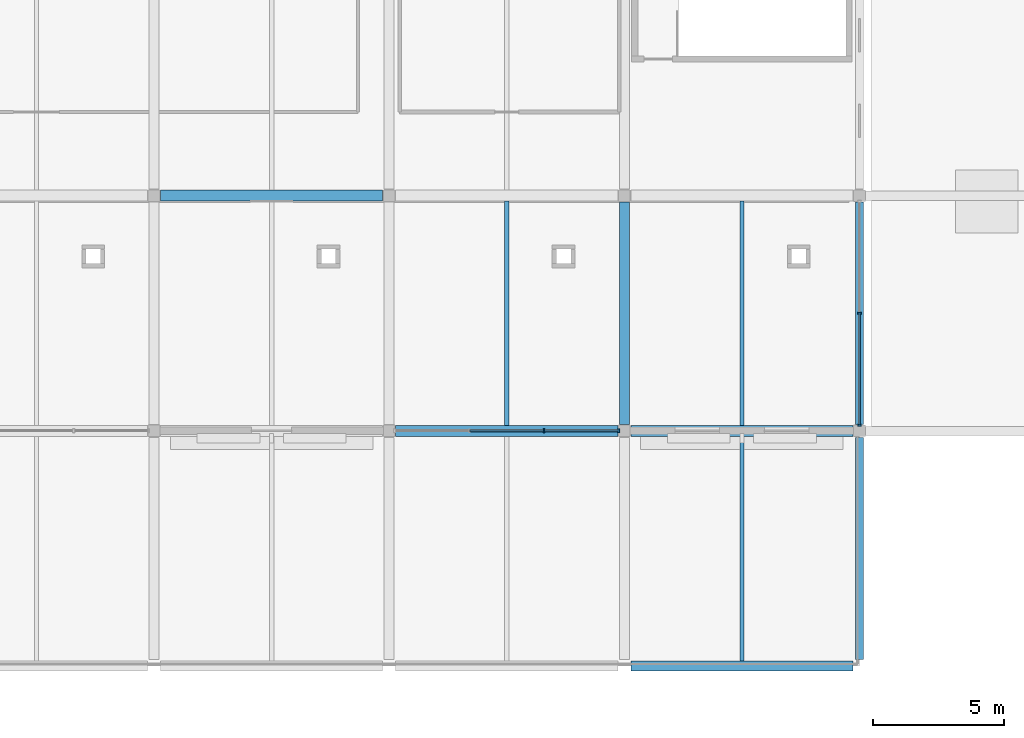
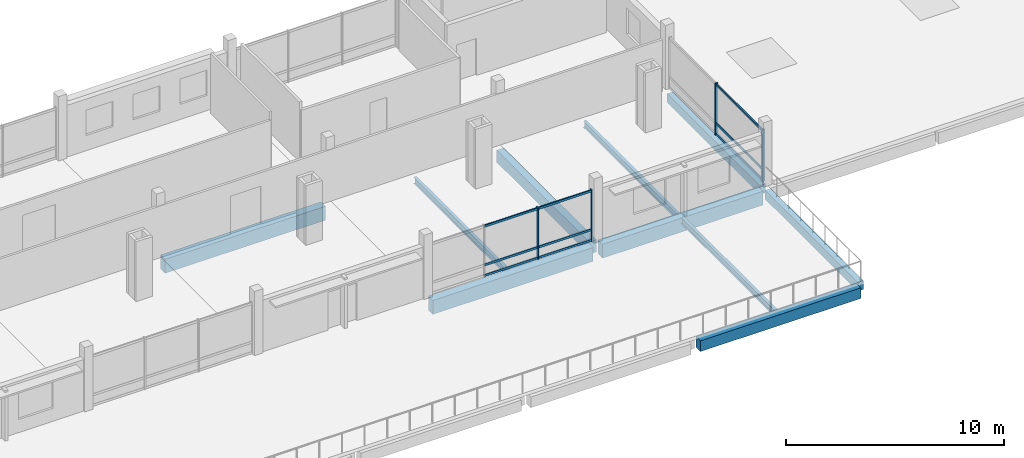
# One storey, part 74 of 163: 13 members, 10 beams, 2 elements without a shape of their own.
"""IFC4 building model written with IfcOpenShell, lengths in metres."""

from ifc_helpers import new_model, si_unit, direction, frame, origin, origin_2d, place, context, subcontext, project, spatial, rectangle, i_section, extrude, material, material_profile, profile_set, type_object, element, aggregate, save


model = new_model("IFC4")

# Units and contexts
model_context = context("Model", 3, precision=1e-05, world=origin(), true_north=direction((0.0, 1.0)))
body_context = subcontext(model_context, "Body", "Model", "MODEL_VIEW")
ifc_project = project(units=[si_unit("LENGTHUNIT", "METRE"), si_unit("AREAUNIT", "SQUARE_METRE"), si_unit("VOLUMEUNIT", "CUBIC_METRE"), si_unit("PLANEANGLEUNIT", "RADIAN"), si_unit("MASSUNIT", "GRAM", prefix="KILO")], contexts=[model_context])

# Site, building, storey
site_placement = place(None, origin())
site = spatial("IfcSite", under=ifc_project, at=site_placement, CompositionType="ELEMENT")
building_placement = place(site_placement, origin())
building = spatial("IfcBuilding", under=site, at=building_placement, Name="Tharagai Park Tramway Depot", CompositionType="ELEMENT")
storey_placement = place(building_placement, frame((0.0, 0.0, 8.39990234375)))
storey = spatial("IfcBuildingStorey", under=building, at=storey_placement, Name="L02", CompositionType="ELEMENT", Elevation=8.39990234375)

# Beams
ifc_material_1 = material(Name="Concrete M35", Category="concrete")
ifc_material_profile_1 = material_profile(ifc_material_1, rectangle(XDim=0.3798828125, YDim=0.679931640625, at=origin_2d()), Name="RC 380x680")
ifc_profile_set_1 = profile_set([ifc_material_profile_1], Name="Concrete M35")
beam_type_1 = type_object("IfcBeamType", Name="BM-12", PredefinedType="BEAM", material=ifc_profile_set_1)
beam_1_placement = place(storey_placement, frame((180.0, 9.25, -0.56982421875), z_axis=(0.0, 1.0, 0.0), x_axis=(-1.0, 0.0, 0.0)))
element("IfcBeam", 1, at=beam_1_placement, inside=storey, type_object=beam_type_1, Name="L02 Grid Beam BM-12", PredefinedType="BEAM", context=body_context, shape_type="SweptSolid", body=[
    extrude(rectangle(XDim=0.3798828125, YDim=0.679931640625, at=origin_2d()), origin(), (0.0, 0.0, 1.0), 8.5),
])
ifc_material_profile_2 = material_profile(ifc_material_1, rectangle(XDim=0.419921875, YDim=0.780029296875, at=origin_2d()), Name="RC 420x780")
ifc_profile_set_2 = profile_set([ifc_material_profile_2], Name="Concrete M35")
beam_type_2 = type_object("IfcBeamType", Name="BM-16", PredefinedType="BEAM", material=ifc_profile_set_2)
for number, where, z_axis, x_axis, name in (
    (2, (171.25, 9.0, -0.619873046875), (1.0, 0.0, 0.0), (0.0, 1.0, 0.0), "L02 Grid Beam BM-16"),
    (3, (180.25, 9.0, -0.619873046875), (1.0, 0.0, 0.0), (0.0, 1.0, 0.0), "L02 Grid Beam BM-16"),
    (4, (162.25, 18.0, -0.619873046875), (1.0, 0.0, 0.0), (0.0, 1.0, 0.0), "L02 Grid Beam BM-16"),
):
    element("IfcBeam", number, at=place(storey_placement, frame(where, z_axis=z_axis, x_axis=x_axis)), inside=storey, type_object=beam_type_2, Name=name, PredefinedType="BEAM", context=body_context, shape_type="SweptSolid", body=[
        extrude(rectangle(XDim=0.419921875, YDim=0.780029296875, at=origin_2d()), origin(), (0.0, 0.0, 1.0), 8.5),
    ])

# Curtain wall, members
ifc_material_2 = material(Name="Anodised aluminium", Category="aluminium")
curtain_wall_type_1 = type_object("IfcCurtainWallType", Name="CW-02", PredefinedType="NOTDEFINED", material=ifc_material_2)
curtain_wall_1_placement = place(storey_placement, origin())
curtain_wall_1 = element("IfcCurtainWall", 5, at=curtain_wall_1_placement, inside=storey, type_object=curtain_wall_type_1, Name="L02 V5 Gothic Mullioned Curtain Wall CW-02", PredefinedType="NOTDEFINED")
ifc_material_profile_3 = material_profile(ifc_material_2, rectangle(XDim=0.06494140625, YDim=0.1201171875, at=origin_2d()), Name="ALU 65x120")
ifc_profile_set_3 = profile_set([ifc_material_profile_3], Name="Anodised aluminium")
member_type_1 = type_object("IfcMemberType", Name="CM-01", PredefinedType="USERDEFINED", material=ifc_profile_set_3)
member_1_placement = place(storey_placement, frame((174.086669921875, 9.0, 0.06005859375), z_axis=(1.0, 0.0, 0.0), x_axis=(0.0, 1.0, 0.0)))
member_1 = element("IfcMember", 6, at=member_1_placement, type_object=member_type_1, Name="L02 V5 Gothic Mullioned Curtain Wall Transom 2.1", ObjectType="TRANSOM", PredefinedType="USERDEFINED", context=body_context, shape_type="SweptSolid", body=[
    extrude(rectangle(XDim=0.06494140625, YDim=0.1201171875, at=origin_2d()), origin(), (0.0, 0.0, 1.0), 2.82666015625),
])
member_2_placement = place(storey_placement, frame((174.086669921875, 9.0, 0.650146484375), z_axis=(1.0, 0.0, 0.0), x_axis=(0.0, 1.0, 0.0)))
member_2 = element("IfcMember", 7, at=member_2_placement, type_object=member_type_1, Name="L02 V5 Gothic Mullioned Curtain Wall Transom 2.2", ObjectType="TRANSOM", PredefinedType="USERDEFINED", context=body_context, shape_type="SweptSolid", body=[
    extrude(rectangle(XDim=0.06494140625, YDim=0.1201171875, at=origin_2d()), origin(), (0.0, 0.0, 1.0), 2.82666015625),
])
member_3_placement = place(storey_placement, frame((174.086669921875, 9.0, 2.820068359375), z_axis=(1.0, 0.0, 0.0), x_axis=(0.0, 1.0, 0.0)))
member_3 = element("IfcMember", 8, at=member_3_placement, type_object=member_type_1, Name="L02 V5 Gothic Mullioned Curtain Wall Transom 2.3", ObjectType="TRANSOM", PredefinedType="USERDEFINED", context=body_context, shape_type="SweptSolid", body=[
    extrude(rectangle(XDim=0.06494140625, YDim=0.1201171875, at=origin_2d()), origin(), (0.0, 0.0, 1.0), 2.82666015625),
])
member_4_placement = place(storey_placement, frame((176.943359375, 9.0, 0.06005859375), z_axis=(1.0, 0.0, 0.0), x_axis=(0.0, 1.0, 0.0)))
member_4 = element("IfcMember", 9, at=member_4_placement, type_object=member_type_1, Name="L02 V5 Gothic Mullioned Curtain Wall Transom 3.1", ObjectType="TRANSOM", PredefinedType="USERDEFINED", context=body_context, shape_type="SweptSolid", body=[
    extrude(rectangle(XDim=0.06494140625, YDim=0.1201171875, at=origin_2d()), origin(), (0.0, 0.0, 1.0), 2.82666015625),
])
member_5_placement = place(storey_placement, frame((176.943359375, 9.0, 0.650146484375), z_axis=(1.0, 0.0, 0.0), x_axis=(0.0, 1.0, 0.0)))
member_5 = element("IfcMember", 10, at=member_5_placement, type_object=member_type_1, Name="L02 V5 Gothic Mullioned Curtain Wall Transom 3.2", ObjectType="TRANSOM", PredefinedType="USERDEFINED", context=body_context, shape_type="SweptSolid", body=[
    extrude(rectangle(XDim=0.06494140625, YDim=0.1201171875, at=origin_2d()), origin(), (0.0, 0.0, 1.0), 2.82666015625),
])
member_6_placement = place(storey_placement, frame((176.943359375, 9.0, 2.820068359375), z_axis=(1.0, 0.0, 0.0), x_axis=(0.0, 1.0, 0.0)))
member_6 = element("IfcMember", 11, at=member_6_placement, type_object=member_type_1, Name="L02 V5 Gothic Mullioned Curtain Wall Transom 3.3", ObjectType="TRANSOM", PredefinedType="USERDEFINED", context=body_context, shape_type="SweptSolid", body=[
    extrude(rectangle(XDim=0.06494140625, YDim=0.1201171875, at=origin_2d()), origin(), (0.0, 0.0, 1.0), 2.82666015625),
])

curtain_wall_type_2 = type_object("IfcCurtainWallType", Name="CW-07", PredefinedType="NOTDEFINED", material=ifc_material_2)
curtain_wall_2_placement = place(storey_placement, origin())
curtain_wall_2 = element("IfcCurtainWall", 12, at=curtain_wall_2_placement, inside=storey, type_object=curtain_wall_type_2, Name="L02 V5 Side Mullioned Curtain Wall CW-07", PredefinedType="NOTDEFINED")
member_7_placement = place(storey_placement, frame((189.0, 9.22998046875, 0.06005859375), z_axis=(0.0, 1.0, 0.0), x_axis=(-1.0, 0.0, 0.0)))
member_7 = element("IfcMember", 13, at=member_7_placement, type_object=member_type_1, Name="L02 V5 Side Mullioned Curtain Wall Transom 1.1", ObjectType="TRANSOM", PredefinedType="USERDEFINED", context=body_context, shape_type="SweptSolid", body=[
    extrude(rectangle(XDim=0.06494140625, YDim=0.1201171875, at=origin_2d()), origin(), (0.0, 0.0, 1.0), 4.255126953125),
])
member_8_placement = place(storey_placement, frame((189.0, 9.22998046875, 0.650146484375), z_axis=(0.0, 1.0, 0.0), x_axis=(-1.0, 0.0, 0.0)))
member_8 = element("IfcMember", 14, at=member_8_placement, type_object=member_type_1, Name="L02 V5 Side Mullioned Curtain Wall Transom 1.2", ObjectType="TRANSOM", PredefinedType="USERDEFINED", context=body_context, shape_type="SweptSolid", body=[
    extrude(rectangle(XDim=0.06494140625, YDim=0.1201171875, at=origin_2d()), origin(), (0.0, 0.0, 1.0), 4.255126953125),
])
member_9_placement = place(storey_placement, frame((189.0, 9.22998046875, 2.820068359375), z_axis=(0.0, 1.0, 0.0), x_axis=(-1.0, 0.0, 0.0)))
member_9 = element("IfcMember", 15, at=member_9_placement, type_object=member_type_1, Name="L02 V5 Side Mullioned Curtain Wall Transom 1.3", ObjectType="TRANSOM", PredefinedType="USERDEFINED", context=body_context, shape_type="SweptSolid", body=[
    extrude(rectangle(XDim=0.06494140625, YDim=0.1201171875, at=origin_2d()), origin(), (0.0, 0.0, 1.0), 4.255126953125),
])

# Member
ifc_material_profile_4 = material_profile(ifc_material_2, rectangle(XDim=0.06494140625, YDim=0.14990234375, at=origin_2d()), Name="ALU 65x150")
ifc_profile_set_4 = profile_set([ifc_material_profile_4], Name="Anodised aluminium")
member_type_2 = type_object("IfcMemberType", Name="CM-03", PredefinedType="MULLION", material=ifc_profile_set_4)
member_10_placement = place(storey_placement, frame((176.92822265625, 9.0, -0.0048828125), z_axis=(0.0, 0.0, 1.0), x_axis=(1.0, 0.0, 0.0)))
member_10 = element("IfcMember", 16, at=member_10_placement, type_object=member_type_2, Name="L02 V5 Gothic Mullioned Curtain Wall Mullion 3", PredefinedType="MULLION", context=body_context, shape_type="SweptSolid", body=[
    extrude(rectangle(XDim=0.06494140625, YDim=0.14990234375, at=origin_2d()), origin(), (0.0, 0.0, 1.0), 2.909912109375),
])

member_11_placement = place(storey_placement, frame((179.784912109375, 9.0, -0.0048828125), z_axis=(0.0, 0.0, 1.0), x_axis=(1.0, 0.0, 0.0)))
member_11 = element("IfcMember", 17, at=member_11_placement, type_object=member_type_2, Name="L02 V5 Gothic Mullioned Curtain Wall Mullion 4", PredefinedType="MULLION", context=body_context, shape_type="SweptSolid", body=[
    extrude(rectangle(XDim=0.06494140625, YDim=0.14990234375, at=origin_2d()), origin(), (0.0, 0.0, 1.0), 2.909912109375),
])

aggregate(curtain_wall_1, [member_10, member_11, member_1, member_2, member_3, member_4, member_5, member_6])

member_12_placement = place(storey_placement, frame((189.0, 9.215087890625, -0.0048828125), z_axis=(0.0, 0.0, 1.0), x_axis=(0.0, 1.0, 0.0)))
member_12 = element("IfcMember", 18, at=member_12_placement, type_object=member_type_2, Name="L02 V5 Side Mullioned Curtain Wall Mullion 1", PredefinedType="MULLION", context=body_context, shape_type="SweptSolid", body=[
    extrude(rectangle(XDim=0.06494140625, YDim=0.14990234375, at=origin_2d()), origin(), (0.0, 0.0, 1.0), 2.909912109375),
])

member_13_placement = place(storey_placement, frame((189.0, 13.5, -0.0048828125), z_axis=(0.0, 0.0, 1.0), x_axis=(0.0, 1.0, 0.0)))
member_13 = element("IfcMember", 19, at=member_13_placement, type_object=member_type_2, Name="L02 V5 Side Mullioned Curtain Wall Mullion 2", PredefinedType="MULLION", context=body_context, shape_type="SweptSolid", body=[
    extrude(rectangle(XDim=0.06494140625, YDim=0.14990234375, at=origin_2d()), origin(), (0.0, 0.0, 1.0), 2.909912109375),
])

aggregate(curtain_wall_2, [member_12, member_13, member_7, member_8, member_9])

# Beams
ifc_material_3 = material(Name="Steel E350", Category="steel")
ifc_material_profile_5 = material_profile(ifc_material_3, i_section(OverallWidth=0.1650390625, OverallDepth=0.35009765625, WebThickness=0.00732421875, FlangeThickness=0.011474609375, FilletRadius=0.013916015625, at=origin_2d()), Name="ISLB 350")
ifc_profile_set_5 = profile_set([ifc_material_profile_5], Name="Steel E350")
beam_type_3 = type_object("IfcBeamType", Name="JT-05", PredefinedType="JOIST", material=ifc_profile_set_5)
beam_2_placement = place(storey_placement, frame((175.5, 9.2099609375, -0.40478515625), z_axis=(0.0, 1.0, 0.0), x_axis=(-1.0, 0.0, 0.0)))
element("IfcBeam", 20, at=beam_2_placement, inside=storey, type_object=beam_type_3, Name="L02 Secondary Joist JT-05", PredefinedType="JOIST", context=body_context, shape_type="SweptSolid", body=[
    extrude(i_section(OverallWidth=0.1650390625, OverallDepth=0.35009765625, WebThickness=0.00732421875, FlangeThickness=0.011474609375, FilletRadius=0.013916015625, at=origin_2d()), origin(), (0.0, 0.0, 1.0), 8.580078125),
])
beam_3_placement = place(storey_placement, frame((184.5, 0.199951171875, -0.364990234375), z_axis=(0.0, 1.0, 0.0), x_axis=(-1.0, 0.0, 0.0)))
element("IfcBeam", 21, at=beam_3_placement, inside=storey, type_object=beam_type_3, Name="L02 Secondary Joist JT-05", PredefinedType="JOIST", context=body_context, shape_type="SweptSolid", body=[
    extrude(i_section(OverallWidth=0.1650390625, OverallDepth=0.35009765625, WebThickness=0.00732421875, FlangeThickness=0.011474609375, FilletRadius=0.013916015625, at=origin_2d()), origin(), (0.0, 0.0, 1.0), 8.590087890625),
])
beam_4_placement = place(storey_placement, frame((184.5, 9.2099609375, -0.40478515625), z_axis=(0.0, 1.0, 0.0), x_axis=(-1.0, 0.0, 0.0)))
element("IfcBeam", 22, at=beam_4_placement, inside=storey, type_object=beam_type_3, Name="L02 Secondary Joist JT-05", PredefinedType="JOIST", context=body_context, shape_type="SweptSolid", body=[
    extrude(i_section(OverallWidth=0.1650390625, OverallDepth=0.35009765625, WebThickness=0.00732421875, FlangeThickness=0.011474609375, FilletRadius=0.013916015625, at=origin_2d()), origin(), (0.0, 0.0, 1.0), 8.580078125),
])
ifc_material_profile_6 = material_profile(ifc_material_1, rectangle(XDim=0.39990234375, YDim=0.60009765625, at=origin_2d()), Name="RC 400x600")
ifc_profile_set_6 = profile_set([ifc_material_profile_6], Name="Concrete M35")
beam_type_4 = type_object("IfcBeamType", Name="SP-02", PredefinedType="SPANDREL", material=ifc_profile_set_6)
beam_5_placement = place(storey_placement, frame((180.25, 0.0, -0.489990234375), z_axis=(1.0, 0.0, 0.0), x_axis=(0.0, 1.0, 0.0)))
element("IfcBeam", 23, at=beam_5_placement, inside=storey, type_object=beam_type_4, Name="L02 Grid Beam SP-02", PredefinedType="SPANDREL", context=body_context, shape_type="SweptSolid", body=[
    extrude(rectangle(XDim=0.39990234375, YDim=0.60009765625, at=origin_2d()), origin(), (0.0, 0.0, 1.0), 8.5),
])
ifc_material_profile_7 = material_profile(ifc_material_1, rectangle(XDim=0.300048828125, YDim=0.5, at=origin_2d()), Name="RC 300x500")
ifc_profile_set_7 = profile_set([ifc_material_profile_7], Name="Concrete M35")
beam_type_5 = type_object("IfcBeamType", Name="SP-03", PredefinedType="SPANDREL", material=ifc_profile_set_7)
for number, where, z_axis, x_axis, name in (
    (24, (189.0, 0.25, -0.43994140625), (0.0, 1.0, 0.0), (-1.0, 0.0, 0.0), "L02 Grid Beam SP-03"),
    (25, (189.0, 9.25, -0.47998046875), (0.0, 1.0, 0.0), (-1.0, 0.0, 0.0), "L02 Grid Beam SP-03"),
):
    element("IfcBeam", number, at=place(storey_placement, frame(where, z_axis=z_axis, x_axis=x_axis)), inside=storey, type_object=beam_type_5, Name=name, PredefinedType="SPANDREL", context=body_context, shape_type="SweptSolid", body=[
        extrude(rectangle(XDim=0.300048828125, YDim=0.5, at=origin_2d()), origin(), (0.0, 0.0, 1.0), 8.5),
    ])

save(model, "model.ifc")
